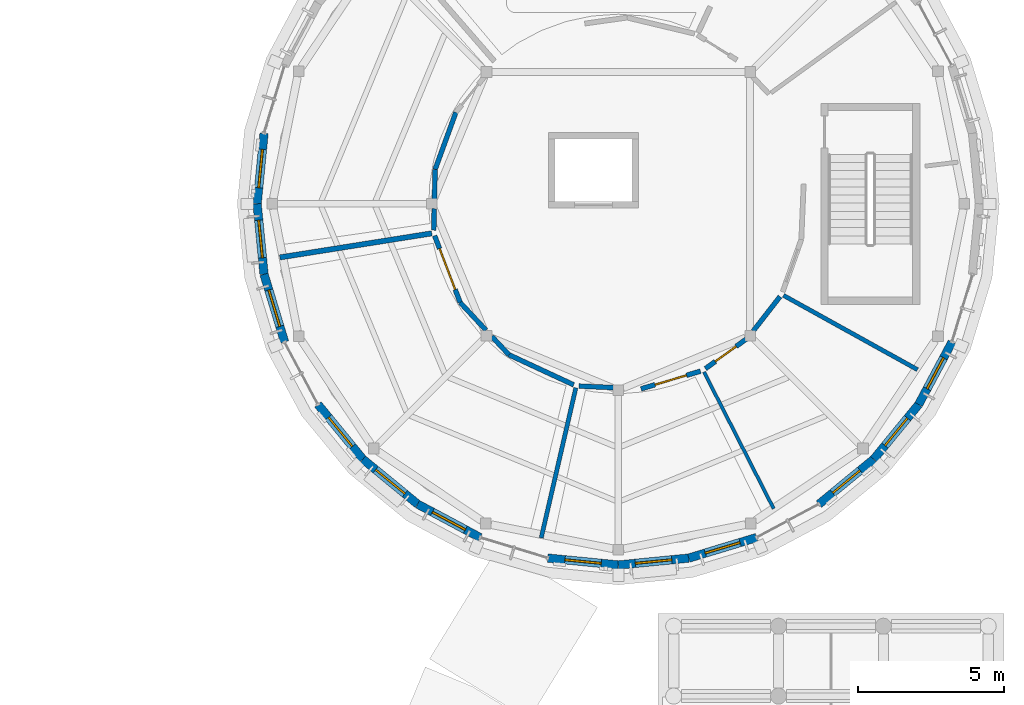
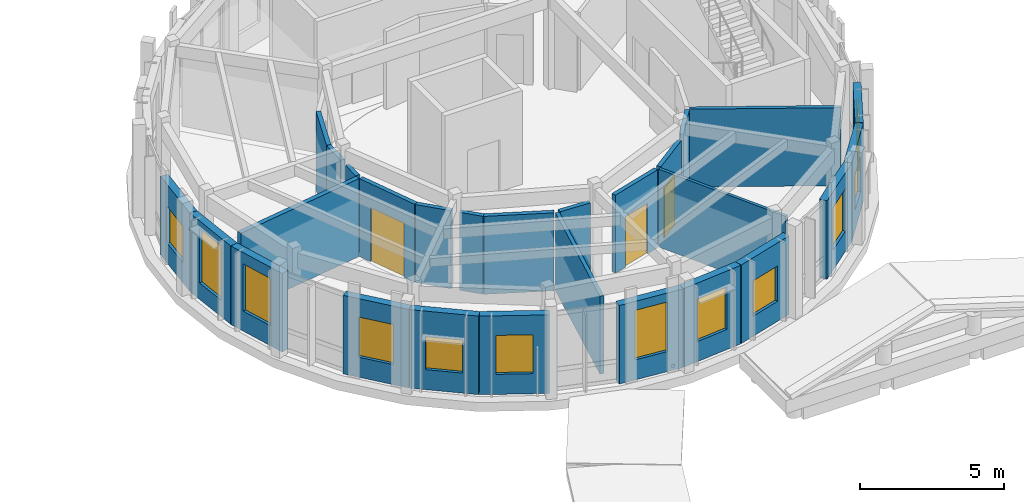
# One storey, part 41 of 58: 27 walls, 12 windows, 3 doors, 15 openings.
"""IFC4 building model written with IfcOpenShell, lengths in metres."""

import ifcopenshell
import ifcopenshell.guid

model = None  # the IFC model being written
_history = None  # IfcOwnerHistory: only IFC2X3 demands one
_inside = {}  # id of a spatial element -> (the spatial element, [elements in it])
_under = {}  # id of a project, library or spatial element -> (it, [spatial elements below it])
_declared = {}  # id of a project -> (the project, [libraries it declares])
_typed = {}  # id of a type object -> (the type object, [elements of that type])
_made_of = {}  # id of a material, layer set ... -> (it, [elements and type objects made of it])


def new_model(schema):
    """Start an empty IFC model of exactly this schema.

    Asked for "IFC4X3", IfcOpenShell would pick the latest addendum, in which some entities
    have other attributes; the version numbers below select the first issue.
    IFC2X3 requires an IfcOwnerHistory on every rooted entity: one is made here for all.
    """
    global model, _history
    if schema == "IFC4X3":
        model = ifcopenshell.file(schema_version=(4, 3, 0, 0))
    else:
        model = ifcopenshell.file(schema=schema)
    _inside.clear()
    _under.clear()
    _declared.clear()
    _typed.clear()
    _made_of.clear()
    _history = None
    if model.schema == "IFC2X3":
        org = make("IfcOrganization", Name="unknown")
        user = make(
            "IfcPersonAndOrganization",
            ThePerson=make("IfcPerson", FamilyName="unknown"),
            TheOrganization=org,
        )
        app = make(
            "IfcApplication",
            ApplicationDeveloper=org,
            Version="unknown",
            ApplicationFullName="unknown",
            ApplicationIdentifier="unknown",
        )
        _history = make(
            "IfcOwnerHistory",
            OwningUser=user,
            OwningApplication=app,
            ChangeAction="ADDED",
            CreationDate=0,
        )
    return model


def make(cls, **values):
    """One entity of the class cls with the attributes given. An attribute that is None is left unset."""
    return model.create_entity(
        cls, **{name: value for name, value in values.items() if value is not None}
    )


def rooted(cls, **values):
    """An entity with a GlobalId (a new one), such as an element, a storey or a relation."""
    return make(cls, GlobalId=ifcopenshell.guid.new(), OwnerHistory=_history, **values)


def si_unit(unit_type, name, prefix=None):
    """IfcSIUnit, for example si_unit("LENGTHUNIT", "METRE", prefix="MILLI")."""
    return make("IfcSIUnit", UnitType=unit_type, Prefix=prefix, Name=name)


def assignment(units):
    """IfcUnitAssignment: the units of a project."""
    return None if units is None else make("IfcUnitAssignment", Units=units)


def point(xyz):
    """IfcCartesianPoint."""
    return None if xyz is None else make("IfcCartesianPoint", Coordinates=xyz)


def direction(xyz):
    """IfcDirection."""
    return None if xyz is None else make("IfcDirection", DirectionRatios=xyz)


def frame(location, z_axis=None, x_axis=None):
    """IfcAxis2Placement3D, a coordinate frame: its origin and axes. An axis left out is left unset."""
    return make(
        "IfcAxis2Placement3D",
        Location=point(location),
        Axis=direction(z_axis),
        RefDirection=direction(x_axis),
    )


def frame_2d(location, x_axis=None):
    """IfcAxis2Placement2D, a coordinate frame in the plane: its origin and x axis."""
    return make(
        "IfcAxis2Placement2D", Location=point(location), RefDirection=direction(x_axis)
    )


def origin():
    """The frame at (0, 0, 0) with its axes left unset."""
    return frame((0.0, 0.0, 0.0))


def place(relative_to, where):
    """IfcLocalPlacement: puts the frame where relative to a parent placement (None: the world)."""
    return make(
        "IfcLocalPlacement", PlacementRelTo=relative_to, RelativePlacement=where
    )


def context(
    kind, dimensions, precision=None, world=None, true_north=None, identifier=None
):
    """IfcGeometricRepresentationContext, for example the 3D "Model" context."""
    return make(
        "IfcGeometricRepresentationContext",
        ContextIdentifier=identifier,
        ContextType=kind,
        CoordinateSpaceDimension=dimensions,
        Precision=precision,
        WorldCoordinateSystem=world,
        TrueNorth=true_north,
    )


def subcontext(parent, identifier, kind, view, scale=None):
    """IfcGeometricRepresentationSubContext, for example "Body" below "Model"."""
    return make(
        "IfcGeometricRepresentationSubContext",
        ContextIdentifier=identifier,
        ContextType=kind,
        ParentContext=parent,
        TargetScale=scale,
        TargetView=view,
    )


def project(units=None, contexts=None):
    """IfcProject with its units and contexts."""
    return rooted(
        "IfcProject",
        Name="project",
        RepresentationContexts=contexts,
        UnitsInContext=assignment(units),
    )


def spatial(cls, under=None, at=None, **own):
    """A site, building, storey or space (cls), placed at a placement, below another one or the project."""
    s = rooted(cls, ObjectPlacement=at, **own)
    if under is not None:
        _under.setdefault(under.id(), (under, []))[1].append(s)
    return s


def profile(cls, at=None, kind="AREA", **sizes):
    """A parametric profile (cls). Its sizes go by their IFC names, for example OverallWidth=200.0."""
    return make(cls, ProfileType=kind, Position=at, **sizes)


def rectangle(**sizes):
    """IfcRectangleProfileDef."""
    return profile("IfcRectangleProfileDef", **sizes)


def extrude(swept, where, along, depth):
    """IfcExtrudedAreaSolid: the profile swept, set in the frame where, extruded along a direction by depth."""
    return make(
        "IfcExtrudedAreaSolid",
        SweptArea=swept,
        Position=where,
        ExtrudedDirection=direction(along),
        Depth=depth,
    )


def shape(context_of_items, identifier, shape_type, items):
    """IfcShapeRepresentation: the items that make up one representation, for example the "Body"."""
    return make(
        "IfcShapeRepresentation",
        ContextOfItems=context_of_items,
        RepresentationIdentifier=identifier,
        RepresentationType=shape_type,
        Items=items,
    )


def material(Name=None, Category=None):
    """IfcMaterial."""
    return make("IfcMaterial", Name=Name, Category=Category)


def layer(
    of_material, thickness, ventilated=None, Name=None, Category=None, Priority=None
):
    """IfcMaterialLayer: one layer of a wall or slab, of a material (None: an air gap)."""
    return make(
        "IfcMaterialLayer",
        Material=of_material,
        LayerThickness=thickness,
        IsVentilated=ventilated,
        Name=Name,
        Category=Category,
        Priority=Priority,
    )


def layer_set(layers, Name=None):
    """IfcMaterialLayerSet."""
    return make("IfcMaterialLayerSet", MaterialLayers=layers, LayerSetName=Name)


def made_of(thing, what):
    """Note that an element or type object is made of a material, layer set ...; save() writes the relation."""
    if what is not None:
        _made_of.setdefault(what.id(), (what, []))[1].append(thing)
    return thing


def type_object(cls, material=None, **own):
    """A type object (cls), such as IfcWallType, which elements share."""
    return made_of(rooted(cls, **own), material)


def element(
    cls,
    number,
    at=None,
    inside=None,
    cuts=None,
    type_object=None,
    material=None,
    context=None,
    identifier="Body",
    shape_type=None,
    held_by="IfcProductDefinitionShape",
    body=None,
    shapes=None,
    **own,
):
    """One element of the class cls, such as IfcWall. Its Tag is "e" and its number.

    at: its placement. inside: the storey or other place that contains it. cuts: it is an
    opening in that element (IfcRelVoidsElement). A single representation is given by context,
    identifier, shape_type and body (its items); several are given by shapes. held_by: the class
    of the entity that holds the representations. save() writes the other relations.
    """
    e = rooted(cls, Tag="e%d" % number, ObjectPlacement=at, **own)
    if body is not None:
        shapes = [shape(context, identifier, shape_type, body)]
    if shapes is not None:
        e.Representation = make(held_by, Representations=shapes)
    if inside is not None:
        _inside.setdefault(inside.id(), (inside, []))[1].append(e)
    if cuts is not None:
        rooted(
            "IfcRelVoidsElement", RelatingBuildingElement=cuts, RelatedOpeningElement=e
        )
    if type_object is not None:
        _typed.setdefault(type_object.id(), (type_object, []))[1].append(e)
    return made_of(e, material)


def fill(opening, filler):
    """IfcRelFillsElement: the door or window that sits in an opening."""
    return rooted(
        "IfcRelFillsElement",
        RelatingOpeningElement=opening,
        RelatedBuildingElement=filler,
    )


def aggregate(whole, parts):
    """IfcRelAggregates: a whole, such as a stair, and the parts it consists of."""
    return rooted("IfcRelAggregates", RelatingObject=whole, RelatedObjects=parts)


def save(model, path):
    """Write the relations noted so far, then the file.

    IfcRelAggregates (storeys below a building ...), IfcRelContainedInSpatialStructure (elements
    in a storey), IfcRelDefinesByType, IfcRelAssociatesMaterial and IfcRelDeclares: one each for
    every whole, place, type object, material and project.
    """
    for whole, parts in _under.values():
        aggregate(whole, parts)
    for where, things in _inside.values():
        rooted(
            "IfcRelContainedInSpatialStructure",
            RelatedElements=things,
            RelatingStructure=where,
        )
    for kind, things in _typed.values():
        rooted("IfcRelDefinesByType", RelatedObjects=things, RelatingType=kind)
    for what, things in _made_of.values():
        rooted("IfcRelAssociatesMaterial", RelatedObjects=things, RelatingMaterial=what)
    for by, libraries in _declared.values():
        rooted("IfcRelDeclares", RelatingContext=by, RelatedDefinitions=libraries)
    model.write(path)


model = new_model("IFC4")

# Units and contexts
model_context = context("Model", 3, precision=1e-05, world=origin(), true_north=direction((0.0, 1.0)))
body_context = subcontext(model_context, "Body", "Model", "MODEL_VIEW")
ifc_project = project(units=[si_unit("LENGTHUNIT", "METRE"), si_unit("AREAUNIT", "SQUARE_METRE"), si_unit("VOLUMEUNIT", "CUBIC_METRE"), si_unit("PLANEANGLEUNIT", "RADIAN"), si_unit("MASSUNIT", "GRAM", prefix="KILO")], contexts=[model_context])

# Site, building, storey
site_placement = place(None, origin())
site = spatial("IfcSite", under=ifc_project, at=site_placement, CompositionType="ELEMENT")
building_placement = place(site_placement, origin())
building = spatial("IfcBuilding", under=site, at=building_placement, Name="Aldenvaro Health Centre", CompositionType="ELEMENT")
storey_placement = place(building_placement, frame((0.0, 0.0, 8.75)))
storey = spatial("IfcBuildingStorey", under=building, at=storey_placement, Name="L02", CompositionType="ELEMENT", Elevation=8.75)

# Walls
ifc_material_1 = material(Name="Gypsum Stud Acoustic Assembly")
ifc_layer_1 = layer(ifc_material_1, 0.14501953125, Name="Gypsum Stud Acoustic Assembly")
ifc_layer_set_1 = layer_set([ifc_layer_1], Name="Gypsum Stud Acoustic Assembly")
wall_type_1 = type_object("IfcWallType", Name="WL-CLN-145", PredefinedType="PARTITIONING", material=ifc_layer_set_1)
wall_1_placement = place(storey_placement, frame((153.0419921875, 93.18310546875, 0.0), z_axis=(0.0, 0.0, 1.0), x_axis=(-0.224943840984, -0.974371730093, 0.0)))
element("IfcWall", 1, at=wall_1_placement, inside=storey, type_object=wall_type_1, Name="D2 L02 clinical partition 4.1", PredefinedType="PARTITIONING", context=body_context, shape_type="SweptSolid", body=[
    extrude(rectangle(XDim=5.28564453125, YDim=0.14501953125, at=frame_2d((2.642822265625, 0.0))), origin(), (0.0, 0.0, 1.0), 3.303955078125),
])
wall_2_placement = place(storey_placement, frame((160.169921875, 96.35693359375, 0.0), z_axis=(0.0, 0.0, 1.0), x_axis=(0.874649389138, -0.484756068638, 0.0)))
element("IfcWall", 2, at=wall_2_placement, inside=storey, type_object=wall_type_1, Name="D2 L02 clinical partition 6.1", PredefinedType="PARTITIONING", context=body_context, shape_type="SweptSolid", body=[
    extrude(rectangle(XDim=5.260498046875, YDim=0.14501953125, at=frame_2d((2.63037109375, 0.0))), origin(), (0.0, 0.0, 1.0), 3.303955078125),
])
ifc_layer_2 = layer(ifc_material_1, 0.1650390625, Name="Gypsum Stud Acoustic Assembly")
ifc_layer_set_2 = layer_set([ifc_layer_2], Name="Gypsum Stud Acoustic Assembly")
wall_type_2 = type_object("IfcWallType", Name="WL-COR-165", PredefinedType="PARTITIONING", material=ifc_layer_set_2)
wall_3_placement = place(storey_placement, frame((148.923095703125, 102.639892578125, 0.0), z_axis=(0.0, 0.0, 1.0), x_axis=(-0.34177124659, -0.939783174463, 0.0)))
element("IfcWall", 3, at=wall_3_placement, inside=storey, type_object=wall_type_2, Name="D2 L02 corridor wall 02.2", PredefinedType="PARTITIONING", context=body_context, shape_type="SweptSolid", body=[
    extrude(rectangle(XDim=2.086669921875, YDim=0.1650390625, at=frame_2d((1.04345703125, 0.0))), origin(), (0.0, 0.0, 1.0), 3.303955078125),
])
wall_4_placement = place(storey_placement, frame((148.2099609375, 100.678955078125, 0.0), z_axis=(0.0, 0.0, 1.0), x_axis=(-0.02168687228, -0.999764812129, 0.0)))
element("IfcWall", 4, at=wall_4_placement, inside=storey, type_object=wall_type_2, Name="D2 L02 corridor wall 02.3", PredefinedType="PARTITIONING", context=body_context, shape_type="SweptSolid", body=[
    extrude(rectangle(XDim=1.01318359375, YDim=0.1650390625, at=frame_2d((0.506591796875, 0.0))), origin(), (0.0, 0.0, 1.0), 3.303955078125),
])
wall_5_placement = place(storey_placement, frame((148.180908203125, 99.3310546875, 0.0), z_axis=(0.0, 0.0, 1.0), x_axis=(-0.021496850658, -0.999768916006, 0.0)))
element("IfcWall", 5, at=wall_5_placement, inside=storey, type_object=wall_type_2, Name="D2 L02 corridor wall 02.4", PredefinedType="PARTITIONING", context=body_context, shape_type="SweptSolid", body=[
    extrude(rectangle(XDim=0.73828125, YDim=0.1650390625, at=frame_2d((0.369140625, 0.0))), origin(), (0.0, 0.0, 1.0), 3.303955078125),
])

# Wall, opening, door
wall_6_placement = place(storey_placement, frame((148.194091796875, 98.405029296875, 0.0), z_axis=(0.0, 0.0, 1.0), x_axis=(0.357004696351, -0.934102589004, 0.0)))
wall_6 = element("IfcWall", 6, at=wall_6_placement, inside=storey, type_object=wall_type_2, Name="D2 L02 corridor wall 03.1", PredefinedType="PARTITIONING", context=body_context, shape_type="SweptSolid", body=[
    extrude(rectangle(XDim=2.45361328125, YDim=0.1650390625, at=frame_2d((1.226806640625, 0.0))), origin(), (0.0, 0.0, 1.0), 3.303955078125),
])
opening_1_placement = place(wall_6_placement, frame((0.47705078125, 0.0, 0.0)))
opening_1 = element("IfcOpeningElement", 7, at=opening_1_placement, cuts=wall_6, Name="Opening SD-01", PredefinedType="OPENING", context=body_context, shape_type="SweptSolid", body=[
    extrude(rectangle(XDim=1.5, YDim=2.300048828125, at=frame_2d((0.75, 1.14990234375))), frame((0.0, 0.092529296875, 0.0), z_axis=(0.0, -1.0, 0.0), x_axis=(1.0, 0.0, 0.0)), (0.0, 0.0, 1.0), 0.18505859375),
])
ifc_material_2 = material(Name="Hygienic Hermetic Theatre Door")
door_type_1 = type_object("IfcDoorType", Name="DR-SRG-150", OperationType="NOTDEFINED", PredefinedType="DOOR", material=ifc_material_2)
door_1_placement = place(opening_1_placement, origin())
door_1 = element("IfcDoor", 8, at=door_1_placement, inside=storey, type_object=door_type_1, Name="Phase 1 PACU Recovery Ward Door", OperationType="SINGLE_SWING_RIGHT", OverallHeight=2.300048828125, OverallWidth=1.5, PredefinedType="DOOR", context=body_context, shape_type="SweptSolid", body=[
    extrude(rectangle(XDim=1.5, YDim=2.300048828125, at=frame_2d((0.75, 1.14990234375))), frame((0.0, 0.02490234375, 0.0), z_axis=(0.0, -1.0, 0.0), x_axis=(1.0, 0.0, 0.0)), (0.0, 0.0, 1.0), 0.050048828125),
])
fill(opening_1, door_1)

# Walls
wall_7_placement = place(storey_placement, frame((149.070068359375, 96.113037109375, 0.0), z_axis=(0.0, 0.0, 1.0), x_axis=(0.682084089324, -0.731273748395, 0.0)))
element("IfcWall", 9, at=wall_7_placement, inside=storey, type_object=wall_type_2, Name="D2 L02 corridor wall 03.2", PredefinedType="PARTITIONING", context=body_context, shape_type="SweptSolid", body=[
    extrude(rectangle(XDim=1.30029296875, YDim=0.1650390625, at=frame_2d((0.650146484375, 0.0))), origin(), (0.0, 0.0, 1.0), 3.303955078125),
])
wall_8_placement = place(storey_placement, frame((150.159912109375, 94.944091796875, 0.0), z_axis=(0.0, 0.0, 1.0), x_axis=(0.682114678072, -0.731245216024, 0.0)))
element("IfcWall", 10, at=wall_8_placement, inside=storey, type_object=wall_type_2, Name="D2 L02 corridor wall 03.3", PredefinedType="PARTITIONING", context=body_context, shape_type="SweptSolid", body=[
    extrude(rectangle(XDim=0.854736328125, YDim=0.1650390625, at=frame_2d((0.42724609375, 0.0))), origin(), (0.0, 0.0, 1.0), 3.303955078125),
])
wall_9_placement = place(storey_placement, frame((150.742919921875, 94.319091796875, 0.0), z_axis=(0.0, 0.0, 1.0), x_axis=(0.906989961647, -0.421152240255, 0.0)))
element("IfcWall", 11, at=wall_9_placement, inside=storey, type_object=wall_type_2, Name="D2 L02 corridor wall 03.4", PredefinedType="PARTITIONING", context=body_context, shape_type="SweptSolid", body=[
    extrude(rectangle(XDim=2.453369140625, YDim=0.1650390625, at=frame_2d((1.2265625, 0.0))), origin(), (0.0, 0.0, 1.0), 3.303955078125),
])
wall_10_placement = place(storey_placement, frame((153.153076171875, 93.242919921875, 0.0), z_axis=(0.0, 0.0, 1.0), x_axis=(0.998998504247, -0.044743586258, 0.0)))
element("IfcWall", 12, at=wall_10_placement, inside=storey, type_object=wall_type_2, Name="D2 L02 corridor wall 04.1", PredefinedType="PARTITIONING", context=body_context, shape_type="SweptSolid", body=[
    extrude(rectangle(XDim=1.18408203125, YDim=0.1650390625, at=frame_2d((0.592041015625, 0.0))), origin(), (0.0, 0.0, 1.0), 3.303955078125),
])

# Wall, opening, door
wall_11_placement = place(storey_placement, frame((155.280029296875, 93.14794921875, 0.0), z_axis=(0.0, 0.0, 1.0), x_axis=(0.958517732376, 0.285032904628, 0.0)))
wall_11 = element("IfcWall", 13, at=wall_11_placement, inside=storey, type_object=wall_type_2, Name="D2 L02 corridor wall 04.2", PredefinedType="PARTITIONING", context=body_context, shape_type="SweptSolid", body=[
    extrude(rectangle(XDim=2.12939453125, YDim=0.1650390625, at=frame_2d((1.064697265625, 0.0))), origin(), (0.0, 0.0, 1.0), 3.303955078125),
])
opening_2_placement = place(wall_11_placement, frame((0.5, 0.0, 0.0)))
opening_2 = element("IfcOpeningElement", 14, at=opening_2_placement, cuts=wall_11, Name="Opening D-24", PredefinedType="OPENING", context=body_context, shape_type="SweptSolid", body=[
    extrude(rectangle(XDim=1.1298828125, YDim=2.139892578125, at=frame_2d((0.56494140625, 1.06982421875))), frame((0.0, 0.092529296875, 0.0), z_axis=(0.0, -1.0, 0.0), x_axis=(1.0, 0.0, 0.0)), (0.0, 0.0, 1.0), 0.18505859375),
])
ifc_material_3 = material(Name="Exam Suite Timber Door", Category="wood")
door_type_2 = type_object("IfcDoorType", Name="DR-CLN-24", OperationType="NOTDEFINED", PredefinedType="DOOR", material=ifc_material_3)
door_2_placement = place(opening_2_placement, origin())
door_2 = element("IfcDoor", 15, at=door_2_placement, inside=storey, type_object=door_type_2, Name="PACU Nurse Station and Telemetry Door", OperationType="SINGLE_SWING_LEFT", OverallHeight=2.139892578125, OverallWidth=1.1298828125, PredefinedType="DOOR", context=body_context, shape_type="SweptSolid", body=[
    extrude(rectangle(XDim=1.1298828125, YDim=2.139892578125, at=frame_2d((0.56494140625, 1.06982421875))), frame((0.0, 0.02490234375, 0.0), z_axis=(0.0, -1.0, 0.0), x_axis=(1.0, 0.0, 0.0)), (0.0, 0.0, 1.0), 0.050048828125),
])
fill(opening_2, door_2)

wall_12_placement = place(storey_placement, frame((157.489990234375, 93.841064453125, 0.0), z_axis=(0.0, 0.0, 1.0), x_axis=(0.809526218979, 0.587083725533, 0.0)))
wall_12 = element("IfcWall", 16, at=wall_12_placement, inside=storey, type_object=wall_type_2, Name="D2 L02 corridor wall 05.1", PredefinedType="PARTITIONING", context=body_context, shape_type="SweptSolid", body=[
    extrude(rectangle(XDim=1.72216796875, YDim=0.1650390625, at=frame_2d((0.861083984375, 0.0))), origin(), (0.0, 0.0, 1.0), 3.303955078125),
])
opening_3_placement = place(wall_12_placement, frame((0.4208984375, 0.0, 0.0)))
opening_3 = element("IfcOpeningElement", 17, at=opening_3_placement, cuts=wall_12, Name="Opening UD-01", PredefinedType="OPENING", context=body_context, shape_type="SweptSolid", body=[
    extrude(rectangle(XDim=0.8798828125, YDim=2.10009765625, at=frame_2d((0.43994140625, 1.050048828125))), frame((0.0, 0.092529296875, 0.0), z_axis=(0.0, -1.0, 0.0), x_axis=(1.0, 0.0, 0.0)), (0.0, 0.0, 1.0), 0.18505859375),
])
ifc_material_4 = material(Name="Clean Supply Store Door")
door_type_3 = type_object("IfcDoorType", Name="DR-STR-01", OperationType="NOTDEFINED", PredefinedType="DOOR", material=ifc_material_4)
door_3_placement = place(opening_3_placement, origin())
door_3 = element("IfcDoor", 18, at=door_3_placement, inside=storey, type_object=door_type_3, Name="Soiled Instrument Hold Door", OperationType="SINGLE_SWING_RIGHT", OverallHeight=2.10009765625, OverallWidth=0.8798828125, PredefinedType="DOOR", context=body_context, shape_type="SweptSolid", body=[
    extrude(rectangle(XDim=0.8798828125, YDim=2.10009765625, at=frame_2d((0.43994140625, 1.050048828125))), frame((0.0, 0.02490234375, 0.0), z_axis=(0.0, -1.0, 0.0), x_axis=(1.0, 0.0, 0.0)), (0.0, 0.0, 1.0), 0.050048828125),
])
fill(opening_3, door_3)

# Wall
wall_13_placement = place(storey_placement, frame((159.12890625, 95.131103515625, 0.0), z_axis=(0.0, 0.0, 1.0), x_axis=(0.61450363649, 0.788913988176, 0.0)))
element("IfcWall", 19, at=wall_13_placement, inside=storey, type_object=wall_type_2, Name="D2 L02 corridor wall 05.2", PredefinedType="PARTITIONING", context=body_context, shape_type="SweptSolid", body=[
    extrude(rectangle(XDim=1.50048828125, YDim=0.1650390625, at=frame_2d((0.750244140625, 0.0))), origin(), (0.0, 0.0, 1.0), 3.303955078125),
])

# Wall, opening, window
ifc_material_5 = material(Name="Cross-laminated timber CLT E1", Category="wood")
ifc_layer_3 = layer(ifc_material_5, 0.2900390625, Name="Cross-laminated timber CLT E1", Category="wood")
ifc_layer_set_3 = layer_set([ifc_layer_3], Name="Cross-laminated timber CLT E1")
wall_type_3 = type_object("IfcWallType", Name="WL-EXT-290", PredefinedType="ELEMENTEDWALL", material=ifc_layer_set_3)
wall_14_placement = place(storey_placement, frame((165.9560546875, 94.7548828125, 0.0), z_axis=(0.0, 0.0, 1.0), x_axis=(-0.471432490996, -0.881902152415, 0.0)))
wall_14 = element("IfcWall", 20, at=wall_14_placement, inside=storey, type_object=wall_type_3, Name="D2 L02 exterior wall 03", PredefinedType="ELEMENTEDWALL", context=body_context, shape_type="SweptSolid", body=[
    extrude(rectangle(XDim=2.430908203125, YDim=0.2900390625, at=frame_2d((1.21533203125, 0.0))), origin(), (0.0, 0.0, 1.0), 3.3291015625),
])
opening_4_placement = place(wall_14_placement, frame((0.615966796875, 0.0, 0.85009765625)))
opening_4 = element("IfcOpeningElement", 21, at=opening_4_placement, cuts=wall_14, Name="Opening W-39", PredefinedType="OPENING", context=body_context, shape_type="SweptSolid", body=[
    extrude(rectangle(XDim=1.199951171875, YDim=2.25, at=frame_2d((0.60009765625, 1.125))), frame((0.0, 0.155029296875, 0.0), z_axis=(0.0, -1.0, 0.0), x_axis=(1.0, 0.0, 0.0)), (0.0, 0.0, 1.0), 0.31005859375),
])
ifc_material_6 = material(Name="Thermally Broken Aluminium Low-E Glass", Category="aluminium")
window_type_1 = type_object("IfcWindowType", Name="WN-EXT-39", PartitioningType="SINGLE_PANEL", PredefinedType="WINDOW", material=ifc_material_6)
window_1_placement = place(opening_4_placement, origin())
window_1 = element("IfcWindow", 22, at=window_1_placement, inside=storey, type_object=window_type_1, Name="D2 L02 clinical window 03", OverallHeight=2.25, OverallWidth=1.199951171875, PartitioningType="SINGLE_PANEL", PredefinedType="WINDOW", context=body_context, shape_type="SweptSolid", body=[
    extrude(rectangle(XDim=1.199951171875, YDim=2.25, at=frame_2d((0.60009765625, 1.125))), frame((0.0, 0.030029296875, 0.0), z_axis=(0.0, -1.0, 0.0), x_axis=(1.0, 0.0, 0.0)), (0.0, 0.0, 1.0), 0.06005859375),
])
fill(opening_4, window_1)

wall_15_placement = place(storey_placement, frame((164.81005859375, 92.611083984375, 0.0), z_axis=(0.0, 0.0, 1.0), x_axis=(-0.634347392822, -0.773048113134, 0.0)))
wall_15 = element("IfcWall", 23, at=wall_15_placement, inside=storey, type_object=wall_type_3, Name="D2 L02 exterior wall 04", PredefinedType="ELEMENTEDWALL", context=body_context, shape_type="SweptSolid", body=[
    extrude(rectangle(XDim=2.430908203125, YDim=0.2900390625, at=frame_2d((1.21533203125, 0.0))), origin(), (0.0, 0.0, 1.0), 3.3291015625),
])
opening_5_placement = place(wall_15_placement, frame((0.60498046875, 0.0, 0.85009765625)))
opening_5 = element("IfcOpeningElement", 24, at=opening_5_placement, cuts=wall_15, Name="Opening W-40", PredefinedType="OPENING", context=body_context, shape_type="SweptSolid", body=[
    extrude(rectangle(XDim=1.219970703125, YDim=1.5, at=frame_2d((0.60986328125, 0.75))), frame((0.0, 0.155029296875, 0.0), z_axis=(0.0, -1.0, 0.0), x_axis=(1.0, 0.0, 0.0)), (0.0, 0.0, 1.0), 0.31005859375),
])
window_type_2 = type_object("IfcWindowType", Name="WN-EXT-40", PartitioningType="SINGLE_PANEL", PredefinedType="WINDOW", material=ifc_material_6)
window_2_placement = place(opening_5_placement, origin())
window_2 = element("IfcWindow", 25, at=window_2_placement, inside=storey, type_object=window_type_2, Name="D2 L02 clinical window 04", OverallHeight=1.5, OverallWidth=1.219970703125, PartitioningType="SINGLE_PANEL", PredefinedType="WINDOW", context=body_context, shape_type="SweptSolid", body=[
    extrude(rectangle(XDim=1.219970703125, YDim=1.5, at=frame_2d((0.60986328125, 0.75))), frame((0.0, 0.030029296875, 0.0), z_axis=(0.0, -1.0, 0.0), x_axis=(1.0, 0.0, 0.0)), (0.0, 0.0, 1.0), 0.06005859375),
])
fill(opening_5, window_2)

wall_16_placement = place(storey_placement, frame((163.26806640625, 90.73193359375, 0.0), z_axis=(0.0, 0.0, 1.0), x_axis=(-0.773048113134, -0.634347392822, 0.0)))
wall_16 = element("IfcWall", 26, at=wall_16_placement, inside=storey, type_object=wall_type_3, Name="D2 L02 exterior wall 05", PredefinedType="ELEMENTEDWALL", context=body_context, shape_type="SweptSolid", body=[
    extrude(rectangle(XDim=2.430908203125, YDim=0.2900390625, at=frame_2d((1.21533203125, 0.0))), origin(), (0.0, 0.0, 1.0), 3.3291015625),
])
opening_6_placement = place(wall_16_placement, frame((0.60498046875, 0.0, 0.85009765625)))
opening_6 = element("IfcOpeningElement", 27, at=opening_6_placement, cuts=wall_16, Name="Opening W-41", PredefinedType="OPENING", context=body_context, shape_type="SweptSolid", body=[
    extrude(rectangle(XDim=1.219970703125, YDim=1.800048828125, at=frame_2d((0.60986328125, 0.89990234375))), frame((0.0, 0.155029296875, 0.0), z_axis=(0.0, -1.0, 0.0), x_axis=(1.0, 0.0, 0.0)), (0.0, 0.0, 1.0), 0.31005859375),
])
window_type_3 = type_object("IfcWindowType", Name="WN-EXT-41", PartitioningType="SINGLE_PANEL", PredefinedType="WINDOW", material=ifc_material_6)
window_3_placement = place(opening_6_placement, origin())
window_3 = element("IfcWindow", 28, at=window_3_placement, inside=storey, type_object=window_type_3, Name="D2 L02 clinical window 05", OverallHeight=1.800048828125, OverallWidth=1.219970703125, PartitioningType="SINGLE_PANEL", PredefinedType="WINDOW", context=body_context, shape_type="SweptSolid", body=[
    extrude(rectangle(XDim=1.219970703125, YDim=1.800048828125, at=frame_2d((0.60986328125, 0.89990234375))), frame((0.0, 0.030029296875, 0.0), z_axis=(0.0, -1.0, 0.0), x_axis=(1.0, 0.0, 0.0)), (0.0, 0.0, 1.0), 0.06005859375),
])
fill(opening_6, window_3)

wall_17_placement = place(storey_placement, frame((159.2451171875, 88.0439453125, 0.0), z_axis=(0.0, 0.0, 1.0), x_axis=(-0.956892539407, -0.290442193951, 0.0)))
wall_17 = element("IfcWall", 29, at=wall_17_placement, inside=storey, type_object=wall_type_3, Name="D2 L02 exterior wall 07", PredefinedType="ELEMENTEDWALL", context=body_context, shape_type="SweptSolid", body=[
    extrude(rectangle(XDim=2.430908203125, YDim=0.2900390625, at=frame_2d((1.21533203125, 0.0))), origin(), (0.0, 0.0, 1.0), 3.3291015625),
])
opening_7_placement = place(wall_17_placement, frame((0.590087890625, 0.0, 0.85009765625)))
opening_7 = element("IfcOpeningElement", 30, at=opening_7_placement, cuts=wall_17, Name="Opening W-42", PredefinedType="OPENING", context=body_context, shape_type="SweptSolid", body=[
    extrude(rectangle(XDim=1.25, YDim=1.5, at=frame_2d((0.625, 0.75))), frame((0.0, 0.155029296875, 0.0), z_axis=(0.0, -1.0, 0.0), x_axis=(1.0, 0.0, 0.0)), (0.0, 0.0, 1.0), 0.31005859375),
])
window_type_4 = type_object("IfcWindowType", Name="WN-EXT-42", PartitioningType="SINGLE_PANEL", PredefinedType="WINDOW", material=ifc_material_6)
window_4_placement = place(opening_7_placement, origin())
window_4 = element("IfcWindow", 31, at=window_4_placement, inside=storey, type_object=window_type_4, Name="D2 L02 clinical window 07", OverallHeight=1.5, OverallWidth=1.25, PartitioningType="SINGLE_PANEL", PredefinedType="WINDOW", context=body_context, shape_type="SweptSolid", body=[
    extrude(rectangle(XDim=1.25, YDim=1.5, at=frame_2d((0.625, 0.75))), frame((0.0, 0.030029296875, 0.0), z_axis=(0.0, -1.0, 0.0), x_axis=(1.0, 0.0, 0.0)), (0.0, 0.0, 1.0), 0.06005859375),
])
fill(opening_7, window_4)

wall_18_placement = place(storey_placement, frame((156.9189453125, 87.337890625, 0.0), z_axis=(0.0, 0.0, 1.0), x_axis=(-0.995202863323, -0.097832820839, 0.0)))
wall_18 = element("IfcWall", 32, at=wall_18_placement, inside=storey, type_object=wall_type_3, Name="D2 L02 exterior wall 08", PredefinedType="ELEMENTEDWALL", context=body_context, shape_type="SweptSolid", body=[
    extrude(rectangle(XDim=2.4306640625, YDim=0.2900390625, at=frame_2d((1.21533203125, 0.0))), origin(), (0.0, 0.0, 1.0), 3.3291015625),
])
opening_8_placement = place(wall_18_placement, frame((0.590087890625, 0.0, 0.85009765625)))
opening_8 = element("IfcOpeningElement", 33, at=opening_8_placement, cuts=wall_18, Name="Opening W-43", PredefinedType="OPENING", context=body_context, shape_type="SweptSolid", body=[
    extrude(rectangle(XDim=1.25, YDim=1.800048828125, at=frame_2d((0.625, 0.89990234375))), frame((0.0, 0.155029296875, 0.0), z_axis=(0.0, -1.0, 0.0), x_axis=(1.0, 0.0, 0.0)), (0.0, 0.0, 1.0), 0.31005859375),
])
window_type_5 = type_object("IfcWindowType", Name="WN-EXT-43", PartitioningType="SINGLE_PANEL", PredefinedType="WINDOW", material=ifc_material_6)
window_5_placement = place(opening_8_placement, origin())
window_5 = element("IfcWindow", 34, at=window_5_placement, inside=storey, type_object=window_type_5, Name="D2 L02 clinical window 08", OverallHeight=1.800048828125, OverallWidth=1.25, PartitioningType="SINGLE_PANEL", PredefinedType="WINDOW", context=body_context, shape_type="SweptSolid", body=[
    extrude(rectangle(XDim=1.25, YDim=1.800048828125, at=frame_2d((0.625, 0.89990234375))), frame((0.0, 0.030029296875, 0.0), z_axis=(0.0, -1.0, 0.0), x_axis=(1.0, 0.0, 0.0)), (0.0, 0.0, 1.0), 0.06005859375),
])
fill(opening_8, window_5)

wall_19_placement = place(storey_placement, frame((154.5, 87.10009765625, 0.0), z_axis=(0.0, 0.0, 1.0), x_axis=(-0.995202863323, 0.097832820839, 0.0)))
wall_19 = element("IfcWall", 35, at=wall_19_placement, inside=storey, type_object=wall_type_3, Name="D2 L02 exterior wall 09", PredefinedType="ELEMENTEDWALL", context=body_context, shape_type="SweptSolid", body=[
    extrude(rectangle(XDim=2.4306640625, YDim=0.2900390625, at=frame_2d((1.21533203125, 0.0))), origin(), (0.0, 0.0, 1.0), 3.3291015625),
])
opening_9_placement = place(wall_19_placement, frame((0.590087890625, 0.0, 0.85009765625)))
opening_9 = element("IfcOpeningElement", 36, at=opening_9_placement, cuts=wall_19, Name="Opening W-44", PredefinedType="OPENING", context=body_context, shape_type="SweptSolid", body=[
    extrude(rectangle(XDim=1.25, YDim=2.10009765625, at=frame_2d((0.625, 1.050048828125))), frame((0.0, 0.155029296875, 0.0), z_axis=(0.0, -1.0, 0.0), x_axis=(1.0, 0.0, 0.0)), (0.0, 0.0, 1.0), 0.31005859375),
])
window_type_6 = type_object("IfcWindowType", Name="WN-EXT-44", PartitioningType="SINGLE_PANEL", PredefinedType="WINDOW", material=ifc_material_6)
window_6_placement = place(opening_9_placement, origin())
window_6 = element("IfcWindow", 37, at=window_6_placement, inside=storey, type_object=window_type_6, Name="D2 L02 clinical window 09", OverallHeight=2.10009765625, OverallWidth=1.25, PartitioningType="SINGLE_PANEL", PredefinedType="WINDOW", context=body_context, shape_type="SweptSolid", body=[
    extrude(rectangle(XDim=1.25, YDim=2.10009765625, at=frame_2d((0.625, 1.050048828125))), frame((0.0, 0.030029296875, 0.0), z_axis=(0.0, -1.0, 0.0), x_axis=(1.0, 0.0, 0.0)), (0.0, 0.0, 1.0), 0.06005859375),
])
fill(opening_9, window_6)

wall_20_placement = place(storey_placement, frame((149.7548828125, 88.0439453125, 0.0), z_axis=(0.0, 0.0, 1.0), x_axis=(-0.881902152415, 0.471432490996, 0.0)))
wall_20 = element("IfcWall", 38, at=wall_20_placement, inside=storey, type_object=wall_type_3, Name="D2 L02 exterior wall 11", PredefinedType="ELEMENTEDWALL", context=body_context, shape_type="SweptSolid", body=[
    extrude(rectangle(XDim=2.430908203125, YDim=0.2900390625, at=frame_2d((1.21533203125, 0.0))), origin(), (0.0, 0.0, 1.0), 3.3291015625),
])
opening_10_placement = place(wall_20_placement, frame((0.575927734375, 0.0, 0.85009765625)))
opening_10 = element("IfcOpeningElement", 39, at=opening_10_placement, cuts=wall_20, Name="Opening W-45", PredefinedType="OPENING", context=body_context, shape_type="SweptSolid", body=[
    extrude(rectangle(XDim=1.280029296875, YDim=1.64990234375, at=frame_2d((0.64013671875, 0.824951171875))), frame((0.0, 0.155029296875, 0.0), z_axis=(0.0, -1.0, 0.0), x_axis=(1.0, 0.0, 0.0)), (0.0, 0.0, 1.0), 0.31005859375),
])
window_type_7 = type_object("IfcWindowType", Name="WN-EXT-45", PartitioningType="SINGLE_PANEL", PredefinedType="WINDOW", material=ifc_material_6)
window_7_placement = place(opening_10_placement, origin())
window_7 = element("IfcWindow", 40, at=window_7_placement, inside=storey, type_object=window_type_7, Name="D2 L02 clinical window 11", OverallHeight=1.64990234375, OverallWidth=1.280029296875, PartitioningType="SINGLE_PANEL", PredefinedType="WINDOW", context=body_context, shape_type="SweptSolid", body=[
    extrude(rectangle(XDim=1.280029296875, YDim=1.64990234375, at=frame_2d((0.64013671875, 0.824951171875))), frame((0.0, 0.030029296875, 0.0), z_axis=(0.0, -1.0, 0.0), x_axis=(1.0, 0.0, 0.0)), (0.0, 0.0, 1.0), 0.06005859375),
])
fill(opening_10, window_7)

wall_21_placement = place(storey_placement, frame((147.611083984375, 89.18994140625, 0.0), z_axis=(0.0, 0.0, 1.0), x_axis=(-0.773048113134, 0.634347392822, 0.0)))
wall_21 = element("IfcWall", 41, at=wall_21_placement, inside=storey, type_object=wall_type_3, Name="D2 L02 exterior wall 12", PredefinedType="ELEMENTEDWALL", context=body_context, shape_type="SweptSolid", body=[
    extrude(rectangle(XDim=2.430908203125, YDim=0.2900390625, at=frame_2d((1.21533203125, 0.0))), origin(), (0.0, 0.0, 1.0), 3.3291015625),
])
opening_11_placement = place(wall_21_placement, frame((0.56494140625, 0.0, 0.85009765625)))
opening_11 = element("IfcOpeningElement", 42, at=opening_11_placement, cuts=wall_21, Name="Opening W-46", PredefinedType="OPENING", context=body_context, shape_type="SweptSolid", body=[
    extrude(rectangle(XDim=1.300048828125, YDim=1.39990234375, at=frame_2d((0.64990234375, 0.699951171875))), frame((0.0, 0.155029296875, 0.0), z_axis=(0.0, -1.0, 0.0), x_axis=(1.0, 0.0, 0.0)), (0.0, 0.0, 1.0), 0.31005859375),
])
window_type_8 = type_object("IfcWindowType", Name="WN-EXT-46", PartitioningType="SINGLE_PANEL", PredefinedType="WINDOW", material=ifc_material_6)
window_8_placement = place(opening_11_placement, origin())
window_8 = element("IfcWindow", 43, at=window_8_placement, inside=storey, type_object=window_type_8, Name="D2 L02 clinical window 12", OverallHeight=1.39990234375, OverallWidth=1.300048828125, PartitioningType="SINGLE_PANEL", PredefinedType="WINDOW", context=body_context, shape_type="SweptSolid", body=[
    extrude(rectangle(XDim=1.300048828125, YDim=1.39990234375, at=frame_2d((0.64990234375, 0.699951171875))), frame((0.0, 0.030029296875, 0.0), z_axis=(0.0, -1.0, 0.0), x_axis=(1.0, 0.0, 0.0)), (0.0, 0.0, 1.0), 0.06005859375),
])
fill(opening_11, window_8)

wall_22_placement = place(storey_placement, frame((145.73193359375, 90.73193359375, 0.0), z_axis=(0.0, 0.0, 1.0), x_axis=(-0.634347392822, 0.773048113134, 0.0)))
wall_22 = element("IfcWall", 44, at=wall_22_placement, inside=storey, type_object=wall_type_3, Name="D2 L02 exterior wall 13", PredefinedType="ELEMENTEDWALL", context=body_context, shape_type="SweptSolid", body=[
    extrude(rectangle(XDim=2.430908203125, YDim=0.2900390625, at=frame_2d((1.21533203125, 0.0))), origin(), (0.0, 0.0, 1.0), 3.3291015625),
])
opening_12_placement = place(wall_22_placement, frame((0.56494140625, 0.0, 0.85009765625)))
opening_12 = element("IfcOpeningElement", 45, at=opening_12_placement, cuts=wall_22, Name="Opening W-47", PredefinedType="OPENING", context=body_context, shape_type="SweptSolid", body=[
    extrude(rectangle(XDim=1.300048828125, YDim=1.699951171875, at=frame_2d((0.64990234375, 0.85009765625))), frame((0.0, 0.155029296875, 0.0), z_axis=(0.0, -1.0, 0.0), x_axis=(1.0, 0.0, 0.0)), (0.0, 0.0, 1.0), 0.31005859375),
])
window_type_9 = type_object("IfcWindowType", Name="WN-EXT-47", PartitioningType="SINGLE_PANEL", PredefinedType="WINDOW", material=ifc_material_6)
window_9_placement = place(opening_12_placement, origin())
window_9 = element("IfcWindow", 46, at=window_9_placement, inside=storey, type_object=window_type_9, Name="D2 L02 clinical window 13", OverallHeight=1.699951171875, OverallWidth=1.300048828125, PartitioningType="SINGLE_PANEL", PredefinedType="WINDOW", context=body_context, shape_type="SweptSolid", body=[
    extrude(rectangle(XDim=1.300048828125, YDim=1.699951171875, at=frame_2d((0.64990234375, 0.85009765625))), frame((0.0, 0.030029296875, 0.0), z_axis=(0.0, -1.0, 0.0), x_axis=(1.0, 0.0, 0.0)), (0.0, 0.0, 1.0), 0.06005859375),
])
fill(opening_12, window_9)

wall_23_placement = place(storey_placement, frame((143.0439453125, 94.7548828125, 0.0), z_axis=(0.0, 0.0, 1.0), x_axis=(-0.290442193951, 0.956892539407, 0.0)))
wall_23 = element("IfcWall", 47, at=wall_23_placement, inside=storey, type_object=wall_type_3, Name="D2 L02 exterior wall 15", PredefinedType="ELEMENTEDWALL", context=body_context, shape_type="SweptSolid", body=[
    extrude(rectangle(XDim=2.430908203125, YDim=0.2900390625, at=frame_2d((1.21533203125, 0.0))), origin(), (0.0, 0.0, 1.0), 3.3291015625),
])
opening_13_placement = place(wall_23_placement, frame((0.56494140625, 0.0, 0.85009765625)))
opening_13 = element("IfcOpeningElement", 48, at=opening_13_placement, cuts=wall_23, Name="Opening W-48", PredefinedType="OPENING", context=body_context, shape_type="SweptSolid", body=[
    extrude(rectangle(XDim=1.300048828125, YDim=2.0, at=frame_2d((0.64990234375, 1.0))), frame((0.0, 0.155029296875, 0.0), z_axis=(0.0, -1.0, 0.0), x_axis=(1.0, 0.0, 0.0)), (0.0, 0.0, 1.0), 0.31005859375),
])
window_type_10 = type_object("IfcWindowType", Name="WN-EXT-48", PartitioningType="SINGLE_PANEL", PredefinedType="WINDOW", material=ifc_material_6)
window_10_placement = place(opening_13_placement, origin())
window_10 = element("IfcWindow", 49, at=window_10_placement, inside=storey, type_object=window_type_10, Name="D2 L02 clinical window 15", OverallHeight=2.0, OverallWidth=1.300048828125, PartitioningType="SINGLE_PANEL", PredefinedType="WINDOW", context=body_context, shape_type="SweptSolid", body=[
    extrude(rectangle(XDim=1.300048828125, YDim=2.0, at=frame_2d((0.64990234375, 1.0))), frame((0.0, 0.030029296875, 0.0), z_axis=(0.0, -1.0, 0.0), x_axis=(1.0, 0.0, 0.0)), (0.0, 0.0, 1.0), 0.06005859375),
])
fill(opening_13, window_10)

wall_24_placement = place(storey_placement, frame((142.337890625, 97.0810546875, 0.0), z_axis=(0.0, 0.0, 1.0), x_axis=(-0.097832820839, 0.995202863323, 0.0)))
wall_24 = element("IfcWall", 50, at=wall_24_placement, inside=storey, type_object=wall_type_3, Name="D2 L02 exterior wall 16", PredefinedType="ELEMENTEDWALL", context=body_context, shape_type="SweptSolid", body=[
    extrude(rectangle(XDim=2.4306640625, YDim=0.2900390625, at=frame_2d((1.21533203125, 0.0))), origin(), (0.0, 0.0, 1.0), 3.3291015625),
])
opening_14_placement = place(wall_24_placement, frame((0.56494140625, 0.0, 0.699951171875)))
opening_14 = element("IfcOpeningElement", 51, at=opening_14_placement, cuts=wall_24, Name="Opening W-49", PredefinedType="OPENING", context=body_context, shape_type="SweptSolid", body=[
    extrude(rectangle(XDim=1.300048828125, YDim=2.300048828125, at=frame_2d((0.64990234375, 1.14990234375))), frame((0.0, 0.155029296875, 0.0), z_axis=(0.0, -1.0, 0.0), x_axis=(1.0, 0.0, 0.0)), (0.0, 0.0, 1.0), 0.31005859375),
])
window_type_11 = type_object("IfcWindowType", Name="WN-EXT-49", PartitioningType="SINGLE_PANEL", PredefinedType="WINDOW", material=ifc_material_6)
window_11_placement = place(opening_14_placement, origin())
window_11 = element("IfcWindow", 52, at=window_11_placement, inside=storey, type_object=window_type_11, Name="D2 L02 clinical window 16", OverallHeight=2.300048828125, OverallWidth=1.300048828125, PartitioningType="SINGLE_PANEL", PredefinedType="WINDOW", context=body_context, shape_type="SweptSolid", body=[
    extrude(rectangle(XDim=1.300048828125, YDim=2.300048828125, at=frame_2d((0.64990234375, 1.14990234375))), frame((0.0, 0.030029296875, 0.0), z_axis=(0.0, -1.0, 0.0), x_axis=(1.0, 0.0, 0.0)), (0.0, 0.0, 1.0), 0.06005859375),
])
fill(opening_14, window_11)

wall_25_placement = place(storey_placement, frame((142.10009765625, 99.5, 0.0), z_axis=(0.0, 0.0, 1.0), x_axis=(0.097832820839, 0.995202863323, 0.0)))
wall_25 = element("IfcWall", 53, at=wall_25_placement, inside=storey, type_object=wall_type_3, Name="D2 L02 exterior wall 17", PredefinedType="ELEMENTEDWALL", context=body_context, shape_type="SweptSolid", body=[
    extrude(rectangle(XDim=2.4306640625, YDim=0.2900390625, at=frame_2d((1.21533203125, 0.0))), origin(), (0.0, 0.0, 1.0), 3.3291015625),
])
opening_15_placement = place(wall_25_placement, frame((0.554931640625, 0.0, 0.85009765625)))
opening_15 = element("IfcOpeningElement", 54, at=opening_15_placement, cuts=wall_25, Name="Opening W-50", PredefinedType="OPENING", context=body_context, shape_type="SweptSolid", body=[
    extrude(rectangle(XDim=1.320068359375, YDim=1.550048828125, at=frame_2d((0.66015625, 0.77490234375))), frame((0.0, 0.155029296875, 0.0), z_axis=(0.0, -1.0, 0.0), x_axis=(1.0, 0.0, 0.0)), (0.0, 0.0, 1.0), 0.31005859375),
])
window_type_12 = type_object("IfcWindowType", Name="WN-EXT-50", PartitioningType="SINGLE_PANEL", PredefinedType="WINDOW", material=ifc_material_6)
window_12_placement = place(opening_15_placement, origin())
window_12 = element("IfcWindow", 55, at=window_12_placement, inside=storey, type_object=window_type_12, Name="D2 L02 clinical window 17", OverallHeight=1.550048828125, OverallWidth=1.320068359375, PartitioningType="SINGLE_PANEL", PredefinedType="WINDOW", context=body_context, shape_type="SweptSolid", body=[
    extrude(rectangle(XDim=1.320068359375, YDim=1.550048828125, at=frame_2d((0.66015625, 0.77490234375))), frame((0.0, 0.030029296875, 0.0), z_axis=(0.0, -1.0, 0.0), x_axis=(1.0, 0.0, 0.0)), (0.0, 0.0, 1.0), 0.06005859375),
])
fill(opening_15, window_12)

# Walls
ifc_material_7 = material(Name="Hygienic Clad Acoustic Partition")
ifc_layer_4 = layer(ifc_material_7, 0.179931640625, Name="Hygienic Clad Acoustic Partition")
ifc_layer_set_4 = layer_set([ifc_layer_4], Name="Hygienic Clad Acoustic Partition")
wall_type_4 = type_object("IfcWallType", Name="WL-SRG-180", PredefinedType="PARTITIONING", material=ifc_layer_set_4)
wall_26_placement = place(storey_placement, frame((148.096923828125, 98.486083984375, 0.0), z_axis=(0.0, 0.0, 1.0), x_axis=(-0.98768185006, -0.156475439167, 0.0)))
element("IfcWall", 56, at=wall_26_placement, inside=storey, type_object=wall_type_4, Name="D2 L02 clinical partition 3.1", PredefinedType="PARTITIONING", context=body_context, shape_type="SweptSolid", body=[
    extrude(rectangle(XDim=5.27978515625, YDim=0.179931640625, at=frame_2d((2.639892578125, 0.0))), origin(), (0.0, 0.0, 1.0), 3.303955078125),
])
ifc_material_8 = material(Name="Light Gauge Steel Stud Partition", Category="steel")
ifc_layer_5 = layer(ifc_material_8, 0.114990234375, Name="Light Gauge Steel Stud Partition", Category="steel")
ifc_layer_set_5 = layer_set([ifc_layer_5], Name="Light Gauge Steel Stud Partition")
wall_type_5 = type_object("IfcWallType", Name="WL-SUB-115", PredefinedType="PARTITIONING", material=ifc_layer_set_5)
wall_27_placement = place(storey_placement, frame((157.443115234375, 93.72412109375, 0.0), z_axis=(0.0, 0.0, 1.0), x_axis=(0.454011967175, -0.890995585658, 0.0)))
element("IfcWall", 57, at=wall_27_placement, inside=storey, type_object=wall_type_5, Name="D2 L02 clinical partition 5.1", PredefinedType="PARTITIONING", context=body_context, shape_type="SweptSolid", body=[
    extrude(rectangle(XDim=5.26171875, YDim=0.114990234375, at=frame_2d((2.630859375, 0.0))), origin(), (0.0, 0.0, 1.0), 3.303955078125),
])

save(model, "model.ifc")
